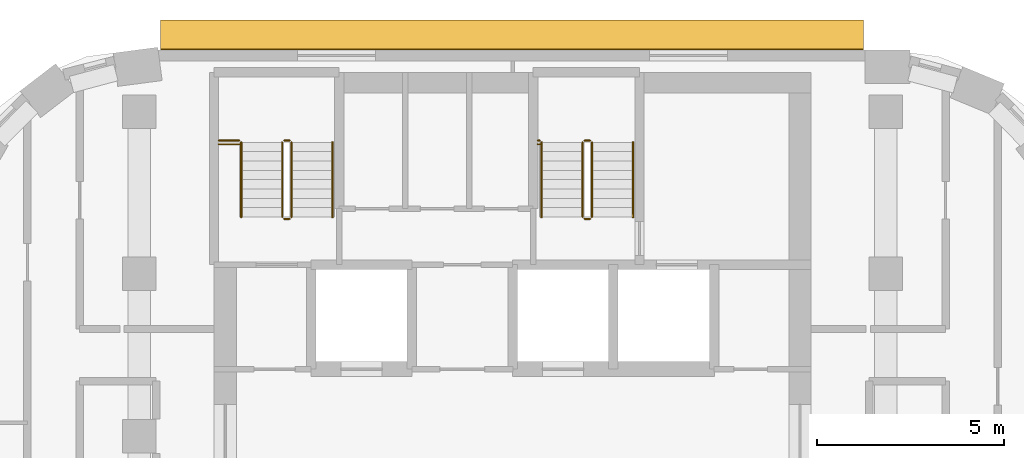
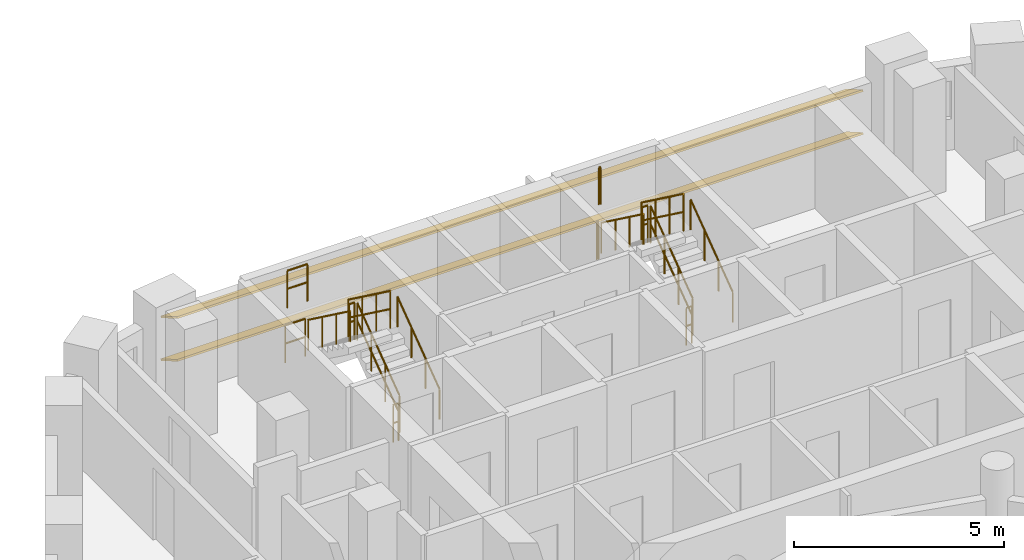
# One storey, part 17 of 17: 16 railings, 2 shading devices.
"""IFC4 building model written with IfcOpenShell, lengths in metres."""

from ifc_helpers import new_model, si_unit, direction, frame, origin, origin_2d, place, context, subcontext, project, spatial, rectangle, circle, extrude, material, material_profile, profile_set, type_object, element, save


model = new_model("IFC4")

# Units and contexts
model_context = context("Model", 3, precision=1e-05, world=origin(), true_north=direction((0.0, 1.0)))
body_context = subcontext(model_context, "Body", "Model", "MODEL_VIEW")
ifc_project = project(units=[si_unit("LENGTHUNIT", "METRE"), si_unit("AREAUNIT", "SQUARE_METRE"), si_unit("VOLUMEUNIT", "CUBIC_METRE"), si_unit("PLANEANGLEUNIT", "RADIAN"), si_unit("MASSUNIT", "GRAM", prefix="KILO")], contexts=[model_context])

# Site, building, storey
site_placement = place(None, origin())
site = spatial("IfcSite", under=ifc_project, at=site_placement, CompositionType="ELEMENT")
building_placement = place(site_placement, origin())
building = spatial("IfcBuilding", under=site, at=building_placement, Name="Nakaniwa Court", CompositionType="ELEMENT")
storey_placement = place(building_placement, frame((0.0, 0.0, 206.39990234375)))
storey = spatial("IfcBuildingStorey", under=building, at=storey_placement, Name="L54", CompositionType="ELEMENT", Elevation=206.39990234375)

# Shading devices
ifc_material_1 = material(Name="Perforated charcoal ceramic louvre blade")
ifc_material_profile = material_profile(ifc_material_1, rectangle(XDim=0.89990234375, YDim=0.050048828125, at=origin_2d()), Name="Perforated ceramic louvre blade")
ifc_profile_set = profile_set([ifc_material_profile], Name="Perforated charcoal ceramic louvre blade")
shading_device_type = type_object("IfcShadingDeviceType", Name="Perforated ceramic louvre blade", PredefinedType="JALOUSIE", material=ifc_profile_set)
for number, where, z_axis, x_axis, name in (
    (1, (89.3994140625, 103.05224609375, 0.550048828125), (-1.0, 0.0, 0.0), (0.0, -0.866025403784, 0.5), "L54 perforated ceramic louvre blade w08 1"),
    (2, (89.3994140625, 103.05224609375, 1.79345703125), (-1.0, 0.0, 0.0), (0.0, -0.866025403784, 0.5), "L54 perforated ceramic louvre blade w08 2"),
):
    element("IfcShadingDevice", number, at=place(storey_placement, frame(where, z_axis=z_axis, x_axis=x_axis)), inside=storey, type_object=shading_device_type, Name=name, PredefinedType="JALOUSIE", context=body_context, shape_type="SweptSolid", body=[
        extrude(rectangle(XDim=0.89990234375, YDim=0.050048828125, at=origin_2d()), origin(), (0.0, 0.0, 1.0), 18.8330078125),
    ])

# Railings
ifc_material_2 = material(Name="Black powder coated steel guard", Category="steel")
railing_type_1 = type_object("IfcRailingType", Name="Stair guard 1100", PredefinedType="GUARDRAIL", material=ifc_material_2)
railing_1_placement = place(storey_placement, frame((74.074951171875, 98.175048828125, 0.183349609375)))
element("IfcRailing", 3, at=railing_1_placement, inside=storey, type_object=railing_type_1, Name="L54 ST1 stair guard 1", PredefinedType="GUARDRAIL", context=body_context, shape_type="SweptSolid", body=[
    extrude(circle(Radius=0.02392578125, at=origin_2d()), frame((0.0, 0.0, 1.076171875), z_axis=(0.0, 0.806379959628, 0.591397802423), x_axis=(-1.0, 0.0, 0.0)), (0.0, 0.0, 1.0), 2.480224609375),
    extrude(circle(Radius=0.02392578125, at=origin_2d()), frame((0.0, 0.0, 0.550048828125), z_axis=(0.0, 0.806379959628, 0.591397802423), x_axis=(-1.0, 0.0, 0.0)), (0.0, 0.0, 1.0), 2.480224609375),
    extrude(circle(Radius=0.02099609375, at=origin_2d()), origin(), (0.0, 0.0, 1.0), 1.052001953125),
    extrude(circle(Radius=0.02099609375, at=origin_2d()), frame((0.0, 0.666748046875, 0.489013671875)), (0.0, 0.0, 1.0), 1.052001953125),
    extrude(circle(Radius=0.02099609375, at=origin_2d()), frame((0.0, 1.333251953125, 0.977783203125)), (0.0, 0.0, 1.0), 1.052001953125),
    extrude(circle(Radius=0.02099609375, at=origin_2d()), frame((0.0, 2.0, 1.466796875)), (0.0, 0.0, 1.0), 1.052001953125),
])
railing_2_placement = place(storey_placement, frame((74.02490234375, 100.22509765625, 1.650146484375)))
element("IfcRailing", 4, at=railing_2_placement, inside=storey, type_object=railing_type_1, Name="L54 ST1 stair guard 2", PredefinedType="GUARDRAIL", context=body_context, shape_type="SweptSolid", body=[
    extrude(circle(Radius=0.02392578125, at=origin_2d()), frame((0.0, 0.0, 1.076171875), z_axis=(-1.0, 0.0, 0.0), x_axis=(0.0, -1.0, 0.0)), (0.0, 0.0, 1.0), 0.14990234375),
    extrude(circle(Radius=0.02392578125, at=origin_2d()), frame((0.0, 0.0, 0.550048828125), z_axis=(-1.0, 0.0, 0.0), x_axis=(0.0, -1.0, 0.0)), (0.0, 0.0, 1.0), 0.14990234375),
    extrude(circle(Radius=0.02099609375, at=origin_2d()), origin(), (0.0, 0.0, 1.0), 1.052001953125),
    extrude(circle(Radius=0.02099609375, at=origin_2d()), frame((-0.14990234375, 0.0, 0.0)), (0.0, 0.0, 1.0), 1.052001953125),
])
railing_3_placement = place(storey_placement, frame((73.824951171875, 100.175048828125, 1.83349609375)))
element("IfcRailing", 5, at=railing_3_placement, inside=storey, type_object=railing_type_1, Name="L54 ST1 stair guard 3", PredefinedType="GUARDRAIL", context=body_context, shape_type="SweptSolid", body=[
    extrude(circle(Radius=0.02392578125, at=origin_2d()), frame((0.0, 0.0, 1.076171875), z_axis=(0.0, -0.806426902644, 0.591333789573), x_axis=(1.0, 0.0, 0.0)), (0.0, 0.0, 1.0), 2.47998046875),
    extrude(circle(Radius=0.02392578125, at=origin_2d()), frame((0.0, 0.0, 0.550048828125), z_axis=(0.0, -0.806426902644, 0.591333789573), x_axis=(1.0, 0.0, 0.0)), (0.0, 0.0, 1.0), 2.47998046875),
    extrude(circle(Radius=0.02099609375, at=origin_2d()), origin(), (0.0, 0.0, 1.0), 1.052001953125),
    extrude(circle(Radius=0.02099609375, at=origin_2d()), frame((0.0, -0.666748046875, 0.48876953125)), (0.0, 0.0, 1.0), 1.052001953125),
    extrude(circle(Radius=0.02099609375, at=origin_2d()), frame((0.0, -1.333251953125, 0.977783203125)), (0.0, 0.0, 1.0), 1.052001953125),
    extrude(circle(Radius=0.02099609375, at=origin_2d()), frame((0.0, -2.0, 1.466552734375)), (0.0, 0.0, 1.0), 1.052001953125),
])
railing_4_placement = place(storey_placement, frame((74.02490234375, 98.125, 0.0)))
element("IfcRailing", 6, at=railing_4_placement, inside=storey, type_object=railing_type_1, Name="L54 ST1 stair guard 4", PredefinedType="GUARDRAIL", context=body_context, shape_type="SweptSolid", body=[
    extrude(circle(Radius=0.02392578125, at=origin_2d()), frame((0.0, 0.0, 1.076171875), z_axis=(-1.0, 0.0, 0.0), x_axis=(0.0, -1.0, 0.0)), (0.0, 0.0, 1.0), 0.14990234375),
    extrude(circle(Radius=0.02392578125, at=origin_2d()), frame((0.0, 0.0, 0.550048828125), z_axis=(-1.0, 0.0, 0.0), x_axis=(0.0, -1.0, 0.0)), (0.0, 0.0, 1.0), 0.14990234375),
    extrude(circle(Radius=0.02099609375, at=origin_2d()), origin(), (0.0, 0.0, 1.0), 1.052001953125),
    extrude(circle(Radius=0.02099609375, at=origin_2d()), frame((-0.14990234375, 0.0, 0.0)), (0.0, 0.0, 1.0), 1.052001953125),
])
for number, where, name in (
    (7, (72.125, 100.22509765625, 1.650146484375), "L54 ST1 landing side guard 1W"),
    (8, (72.125, 100.125, 3.300048828125), "L54 ST1 floor edge guard 1W"),
):
    element("IfcRailing", number, at=place(storey_placement, frame(where)), inside=storey, type_object=railing_type_1, Name=name, PredefinedType="GUARDRAIL", context=body_context, shape_type="SweptSolid", body=[
        extrude(circle(Radius=0.02392578125, at=origin_2d()), frame((0.0, 0.0, 1.076171875), z_axis=(1.0, 0.0, 0.0), x_axis=(0.0, 1.0, 0.0)), (0.0, 0.0, 1.0), 0.550048828125),
        extrude(circle(Radius=0.02392578125, at=origin_2d()), frame((0.0, 0.0, 0.550048828125), z_axis=(1.0, 0.0, 0.0), x_axis=(0.0, 1.0, 0.0)), (0.0, 0.0, 1.0), 0.550048828125),
        extrude(circle(Radius=0.02099609375, at=origin_2d()), origin(), (0.0, 0.0, 1.0), 1.052001953125),
        extrude(circle(Radius=0.02099609375, at=origin_2d()), frame((0.550048828125, 0.0, 0.0)), (0.0, 0.0, 1.0), 1.052001953125),
    ])
railing_5_placement = place(storey_placement, frame((82.125, 98.175048828125, 0.183349609375)))
element("IfcRailing", 9, at=railing_5_placement, inside=storey, type_object=railing_type_1, Name="L54 ST2 stair guard 1", PredefinedType="GUARDRAIL", context=body_context, shape_type="SweptSolid", body=[
    extrude(circle(Radius=0.02392578125, at=origin_2d()), frame((0.0, 0.0, 1.076171875), z_axis=(0.0, 0.806379959628, 0.591397802423), x_axis=(-1.0, 0.0, 0.0)), (0.0, 0.0, 1.0), 2.480224609375),
    extrude(circle(Radius=0.02392578125, at=origin_2d()), frame((0.0, 0.0, 0.550048828125), z_axis=(0.0, 0.806379959628, 0.591397802423), x_axis=(-1.0, 0.0, 0.0)), (0.0, 0.0, 1.0), 2.480224609375),
    extrude(circle(Radius=0.02099609375, at=origin_2d()), origin(), (0.0, 0.0, 1.0), 1.052001953125),
    extrude(circle(Radius=0.02099609375, at=origin_2d()), frame((0.0, 0.666748046875, 0.489013671875)), (0.0, 0.0, 1.0), 1.052001953125),
    extrude(circle(Radius=0.02099609375, at=origin_2d()), frame((0.0, 1.333251953125, 0.977783203125)), (0.0, 0.0, 1.0), 1.052001953125),
    extrude(circle(Radius=0.02099609375, at=origin_2d()), frame((0.0, 2.0, 1.466796875)), (0.0, 0.0, 1.0), 1.052001953125),
])
railing_6_placement = place(storey_placement, frame((82.074951171875, 100.22509765625, 1.650146484375)))
element("IfcRailing", 10, at=railing_6_placement, inside=storey, type_object=railing_type_1, Name="L54 ST2 stair guard 2", PredefinedType="GUARDRAIL", context=body_context, shape_type="SweptSolid", body=[
    extrude(circle(Radius=0.02392578125, at=origin_2d()), frame((0.0, 0.0, 1.076171875), z_axis=(-1.0, 0.0, 0.0), x_axis=(0.0, -1.0, 0.0)), (0.0, 0.0, 1.0), 0.14990234375),
    extrude(circle(Radius=0.02392578125, at=origin_2d()), frame((0.0, 0.0, 0.550048828125), z_axis=(-1.0, 0.0, 0.0), x_axis=(0.0, -1.0, 0.0)), (0.0, 0.0, 1.0), 0.14990234375),
    extrude(circle(Radius=0.02099609375, at=origin_2d()), origin(), (0.0, 0.0, 1.0), 1.052001953125),
    extrude(circle(Radius=0.02099609375, at=origin_2d()), frame((-0.14990234375, 0.0, 0.0)), (0.0, 0.0, 1.0), 1.052001953125),
])
railing_7_placement = place(storey_placement, frame((81.875, 100.175048828125, 1.83349609375)))
element("IfcRailing", 11, at=railing_7_placement, inside=storey, type_object=railing_type_1, Name="L54 ST2 stair guard 3", PredefinedType="GUARDRAIL", context=body_context, shape_type="SweptSolid", body=[
    extrude(circle(Radius=0.02392578125, at=origin_2d()), frame((0.0, 0.0, 1.076171875), z_axis=(0.0, -0.806426902644, 0.591333789573), x_axis=(1.0, 0.0, 0.0)), (0.0, 0.0, 1.0), 2.47998046875),
    extrude(circle(Radius=0.02392578125, at=origin_2d()), frame((0.0, 0.0, 0.550048828125), z_axis=(0.0, -0.806426902644, 0.591333789573), x_axis=(1.0, 0.0, 0.0)), (0.0, 0.0, 1.0), 2.47998046875),
    extrude(circle(Radius=0.02099609375, at=origin_2d()), origin(), (0.0, 0.0, 1.0), 1.052001953125),
    extrude(circle(Radius=0.02099609375, at=origin_2d()), frame((0.0, -0.666748046875, 0.48876953125)), (0.0, 0.0, 1.0), 1.052001953125),
    extrude(circle(Radius=0.02099609375, at=origin_2d()), frame((0.0, -1.333251953125, 0.977783203125)), (0.0, 0.0, 1.0), 1.052001953125),
    extrude(circle(Radius=0.02099609375, at=origin_2d()), frame((0.0, -2.0, 1.466552734375)), (0.0, 0.0, 1.0), 1.052001953125),
])
railing_8_placement = place(storey_placement, frame((82.074951171875, 98.125, 0.0)))
element("IfcRailing", 12, at=railing_8_placement, inside=storey, type_object=railing_type_1, Name="L54 ST2 stair guard 4", PredefinedType="GUARDRAIL", context=body_context, shape_type="SweptSolid", body=[
    extrude(circle(Radius=0.02392578125, at=origin_2d()), frame((0.0, 0.0, 1.076171875), z_axis=(-1.0, 0.0, 0.0), x_axis=(0.0, -1.0, 0.0)), (0.0, 0.0, 1.0), 0.14990234375),
    extrude(circle(Radius=0.02392578125, at=origin_2d()), frame((0.0, 0.0, 0.550048828125), z_axis=(-1.0, 0.0, 0.0), x_axis=(0.0, -1.0, 0.0)), (0.0, 0.0, 1.0), 0.14990234375),
    extrude(circle(Radius=0.02099609375, at=origin_2d()), origin(), (0.0, 0.0, 1.0), 1.052001953125),
    extrude(circle(Radius=0.02099609375, at=origin_2d()), frame((-0.14990234375, 0.0, 0.0)), (0.0, 0.0, 1.0), 1.052001953125),
])
for number, where, name in (
    (13, (80.675048828125, 100.22509765625, 1.650146484375), "L54 ST2 landing side guard 1W"),
    (14, (80.675048828125, 100.125, 3.300048828125), "L54 ST2 floor edge guard 1W"),
):
    element("IfcRailing", number, at=place(storey_placement, frame(where)), inside=storey, type_object=railing_type_1, Name=name, PredefinedType="GUARDRAIL", context=body_context, shape_type="SweptSolid", body=[
        extrude(circle(Radius=0.02392578125, at=origin_2d()), frame((0.0, 0.0, 1.076171875), z_axis=(1.0, 0.0, 0.0), x_axis=(0.0, 1.0, 0.0)), (0.0, 0.0, 1.0), 0.050048828125),
        extrude(circle(Radius=0.02392578125, at=origin_2d()), frame((0.0, 0.0, 0.550048828125), z_axis=(1.0, 0.0, 0.0), x_axis=(0.0, 1.0, 0.0)), (0.0, 0.0, 1.0), 0.050048828125),
        extrude(circle(Radius=0.02099609375, at=origin_2d()), origin(), (0.0, 0.0, 1.0), 1.052001953125),
        extrude(circle(Radius=0.02099609375, at=origin_2d()), frame((0.050048828125, 0.0, 0.0)), (0.0, 0.0, 1.0), 1.052001953125),
    ])
ifc_material_3 = material(Name="Black powder coated steel handrail", Category="steel")
railing_type_2 = type_object("IfcRailingType", Name="Stair handrail 900", PredefinedType="HANDRAIL", material=ifc_material_3)
railing_9_placement = place(storey_placement, frame((75.175048828125, 98.175048828125, 0.183349609375)))
element("IfcRailing", 15, at=railing_9_placement, inside=storey, type_object=railing_type_2, Name="L54 ST1 stair handrail 1", PredefinedType="HANDRAIL", context=body_context, shape_type="SweptSolid", body=[
    extrude(circle(Radius=0.02392578125, at=origin_2d()), frame((0.0, 0.0, 0.8759765625), z_axis=(0.0, 0.806379959628, 0.591397802423), x_axis=(-1.0, 0.0, 0.0)), (0.0, 0.0, 1.0), 2.480224609375),
    extrude(circle(Radius=0.02099609375, at=origin_2d()), origin(), (0.0, 0.0, 1.0), 0.851806640625),
    extrude(circle(Radius=0.02099609375, at=origin_2d()), frame((0.0, 0.666748046875, 0.489013671875)), (0.0, 0.0, 1.0), 0.851806640625),
    extrude(circle(Radius=0.02099609375, at=origin_2d()), frame((0.0, 1.333251953125, 0.977783203125)), (0.0, 0.0, 1.0), 0.851806640625),
    extrude(circle(Radius=0.02099609375, at=origin_2d()), frame((0.0, 2.0, 1.466796875)), (0.0, 0.0, 1.0), 0.851806640625),
])
railing_10_placement = place(storey_placement, frame((72.72509765625, 100.175048828125, 1.83349609375)))
element("IfcRailing", 16, at=railing_10_placement, inside=storey, type_object=railing_type_2, Name="L54 ST1 stair handrail 2", PredefinedType="HANDRAIL", context=body_context, shape_type="SweptSolid", body=[
    extrude(circle(Radius=0.02392578125, at=origin_2d()), frame((0.0, 0.0, 0.8759765625), z_axis=(0.0, -0.806426902644, 0.591333789573), x_axis=(1.0, 0.0, 0.0)), (0.0, 0.0, 1.0), 2.47998046875),
    extrude(circle(Radius=0.02099609375, at=origin_2d()), origin(), (0.0, 0.0, 1.0), 0.851806640625),
    extrude(circle(Radius=0.02099609375, at=origin_2d()), frame((0.0, -0.666748046875, 0.48876953125)), (0.0, 0.0, 1.0), 0.851806640625),
    extrude(circle(Radius=0.02099609375, at=origin_2d()), frame((0.0, -1.333251953125, 0.977783203125)), (0.0, 0.0, 1.0), 0.851806640625),
    extrude(circle(Radius=0.02099609375, at=origin_2d()), frame((0.0, -2.0, 1.466552734375)), (0.0, 0.0, 1.0), 0.851806640625),
])
railing_11_placement = place(storey_placement, frame((83.22509765625, 98.175048828125, 0.183349609375)))
element("IfcRailing", 17, at=railing_11_placement, inside=storey, type_object=railing_type_2, Name="L54 ST2 stair handrail 1", PredefinedType="HANDRAIL", context=body_context, shape_type="SweptSolid", body=[
    extrude(circle(Radius=0.02392578125, at=origin_2d()), frame((0.0, 0.0, 0.8759765625), z_axis=(0.0, 0.806379959628, 0.591397802423), x_axis=(-1.0, 0.0, 0.0)), (0.0, 0.0, 1.0), 2.480224609375),
    extrude(circle(Radius=0.02099609375, at=origin_2d()), origin(), (0.0, 0.0, 1.0), 0.851806640625),
    extrude(circle(Radius=0.02099609375, at=origin_2d()), frame((0.0, 0.666748046875, 0.489013671875)), (0.0, 0.0, 1.0), 0.851806640625),
    extrude(circle(Radius=0.02099609375, at=origin_2d()), frame((0.0, 1.333251953125, 0.977783203125)), (0.0, 0.0, 1.0), 0.851806640625),
    extrude(circle(Radius=0.02099609375, at=origin_2d()), frame((0.0, 2.0, 1.466796875)), (0.0, 0.0, 1.0), 0.851806640625),
])
railing_12_placement = place(storey_placement, frame((80.77490234375, 100.175048828125, 1.83349609375)))
element("IfcRailing", 18, at=railing_12_placement, inside=storey, type_object=railing_type_2, Name="L54 ST2 stair handrail 2", PredefinedType="HANDRAIL", context=body_context, shape_type="SweptSolid", body=[
    extrude(circle(Radius=0.02392578125, at=origin_2d()), frame((0.0, 0.0, 0.8759765625), z_axis=(0.0, -0.806426902644, 0.591333789573), x_axis=(1.0, 0.0, 0.0)), (0.0, 0.0, 1.0), 2.47998046875),
    extrude(circle(Radius=0.02099609375, at=origin_2d()), origin(), (0.0, 0.0, 1.0), 0.851806640625),
    extrude(circle(Radius=0.02099609375, at=origin_2d()), frame((0.0, -0.666748046875, 0.48876953125)), (0.0, 0.0, 1.0), 0.851806640625),
    extrude(circle(Radius=0.02099609375, at=origin_2d()), frame((0.0, -1.333251953125, 0.977783203125)), (0.0, 0.0, 1.0), 0.851806640625),
    extrude(circle(Radius=0.02099609375, at=origin_2d()), frame((0.0, -2.0, 1.466552734375)), (0.0, 0.0, 1.0), 0.851806640625),
])

save(model, "model.ifc")
